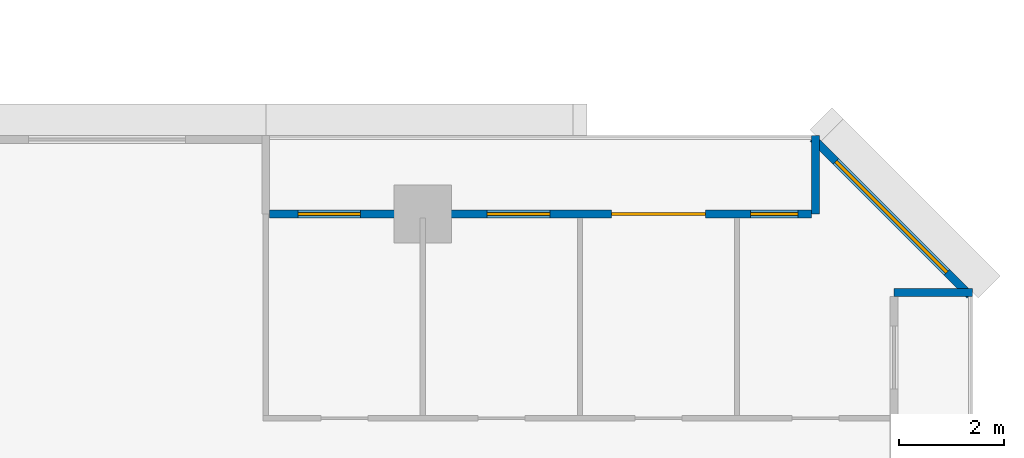
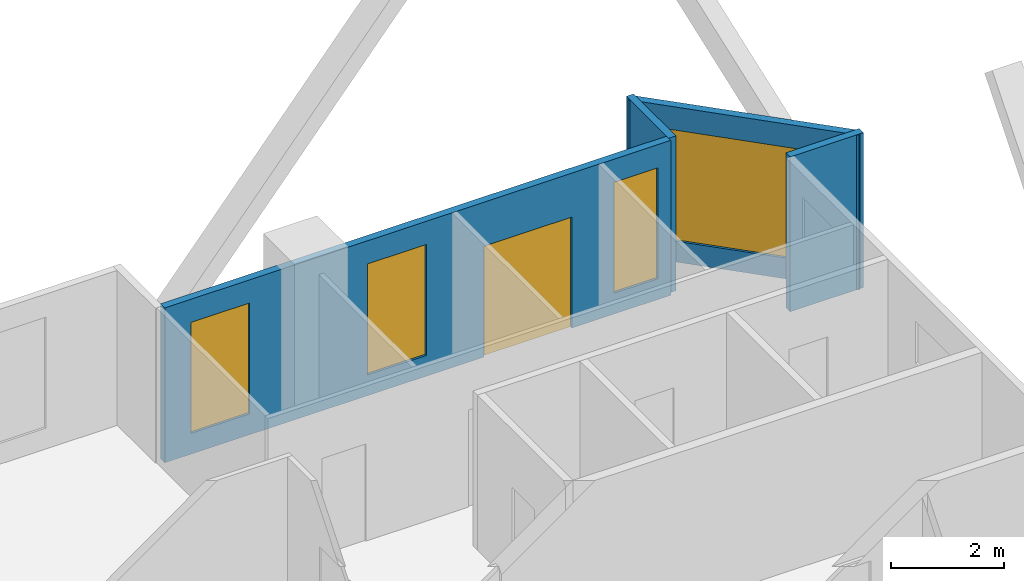
# One storey, part 12 of 15: 4 walls, 4 windows, 1 door, 5 openings.
"""IFC4 building model written with IfcOpenShell, lengths in metres."""

from ifc_helpers import new_model, si_unit, direction, frame, frame_2d, origin, place, context, subcontext, project, spatial, rectangle, extrude, material, layer, layer_set, type_object, element, fill, save


model = new_model("IFC4")

# Units and contexts
model_context = context("Model", 3, precision=1e-05, world=origin(), true_north=direction((0.0, 1.0)))
body_context = subcontext(model_context, "Body", "Model", "MODEL_VIEW")
ifc_project = project(units=[si_unit("LENGTHUNIT", "METRE"), si_unit("AREAUNIT", "SQUARE_METRE"), si_unit("VOLUMEUNIT", "CUBIC_METRE"), si_unit("PLANEANGLEUNIT", "RADIAN"), si_unit("MASSUNIT", "GRAM", prefix="KILO")], contexts=[model_context])

# Site, building, storey
site_placement = place(None, origin())
site = spatial("IfcSite", under=ifc_project, at=site_placement, CompositionType="ELEMENT")
building_placement = place(site_placement, origin())
building = spatial("IfcBuilding", under=site, at=building_placement, Name="Chenar Terraces", CompositionType="ELEMENT")
storey_placement = place(building_placement, frame((0.0, 0.0, 41.39990234375)))
storey = spatial("IfcBuildingStorey", under=building, at=storey_placement, Name="L07", CompositionType="ELEMENT", Elevation=41.39990234375)

# Wall, openings, windows, door
ifc_material_1 = material(Name="Aluminium framed glazing", Category="aluminium")
ifc_layer_1 = layer(ifc_material_1, 0.14990234375)
ifc_layer_set_1 = layer_set([ifc_layer_1], Name="Aluminium framed glazing")
wall_type_1 = type_object("IfcWallType", Name="Glazed loggia back wall 150", PredefinedType="SOLIDWALL", material=ifc_layer_set_1)
wall_1_placement = place(storey_placement, frame((70.425048828125, 24.0, 0.0), z_axis=(0.0, 0.0, 1.0), x_axis=(-1.0, 0.0, 0.0)))
wall_1 = element("IfcWall", 1, at=wall_1_placement, inside=storey, type_object=wall_type_1, Name="Glazed loggia back wall", PredefinedType="SOLIDWALL", context=body_context, shape_type="SweptSolid", body=[
    extrude(rectangle(XDim=10.35009765625, YDim=0.14990234375, at=frame_2d((5.175048828125, 0.0))), origin(), (0.0, 0.0, 1.0), 3.35009765625),
])
opening_1_placement = place(wall_1_placement, frame((0.262451171875, 0.0, 0.449951171875)))
opening_1 = element("IfcOpeningElement", 2, at=opening_1_placement, cuts=wall_1, Name="Opening W90x240", PredefinedType="OPENING", context=body_context, shape_type="SweptSolid", body=[
    extrude(rectangle(XDim=0.89990234375, YDim=2.39990234375, at=frame_2d((0.449951171875, 1.199951171875))), frame((0.0, 0.0849609375, 0.0), z_axis=(0.0, -1.0, 0.0), x_axis=(1.0, 0.0, 0.0)), (0.0, 0.0, 1.0), 0.169921875),
])
opening_2_placement = place(wall_1_placement, frame((2.02490234375, 0.0, 0.0)))
opening_2 = element("IfcOpeningElement", 3, at=opening_2_placement, cuts=wall_1, Name="Opening DL07-G1", PredefinedType="OPENING", context=body_context, shape_type="SweptSolid", body=[
    extrude(rectangle(XDim=1.800048828125, YDim=2.39990234375, at=frame_2d((0.89990234375, 1.199951171875))), frame((0.0, 0.0849609375, 0.0), z_axis=(0.0, -1.0, 0.0), x_axis=(1.0, 0.0, 0.0)), (0.0, 0.0, 1.0), 0.169921875),
])
opening_3_placement = place(wall_1_placement, frame((5.0, 0.0, 0.449951171875)))
opening_3 = element("IfcOpeningElement", 4, at=opening_3_placement, cuts=wall_1, Name="Opening W120x240", PredefinedType="OPENING", context=body_context, shape_type="SweptSolid", body=[
    extrude(rectangle(XDim=1.199951171875, YDim=2.39990234375, at=frame_2d((0.60009765625, 1.199951171875))), frame((0.0, 0.0849609375, 0.0), z_axis=(0.0, -1.0, 0.0), x_axis=(1.0, 0.0, 0.0)), (0.0, 0.0, 1.0), 0.169921875),
])
opening_4_placement = place(wall_1_placement, frame((8.612548828125, 0.0, 0.449951171875)))
opening_4 = element("IfcOpeningElement", 5, at=opening_4_placement, cuts=wall_1, Name="Opening W120x240", PredefinedType="OPENING", context=body_context, shape_type="SweptSolid", body=[
    extrude(rectangle(XDim=1.199951171875, YDim=2.39990234375, at=frame_2d((0.60009765625, 1.199951171875))), frame((0.0, 0.0849609375, 0.0), z_axis=(0.0, -1.0, 0.0), x_axis=(1.0, 0.0, 0.0)), (0.0, 0.0, 1.0), 0.169921875),
])
ifc_material_2 = material(Name="Low emissivity double glazing, aluminium frame", Category="aluminium")
window_type_1 = type_object("IfcWindowType", Name="Fixed light 1200 x 2400", PartitioningType="SINGLE_PANEL", PredefinedType="WINDOW", material=ifc_material_2)
window_1_placement = place(opening_3_placement, origin())
window_1 = element("IfcWindow", 6, at=window_1_placement, inside=storey, type_object=window_type_1, Name="Window", OverallHeight=2.39990234375, OverallWidth=1.199951171875, PartitioningType="SINGLE_PANEL", PredefinedType="WINDOW", context=body_context, shape_type="SweptSolid", body=[
    extrude(rectangle(XDim=1.199951171875, YDim=2.39990234375, at=frame_2d((0.60009765625, 1.199951171875))), frame((0.0, 0.030029296875, 0.0), z_axis=(0.0, -1.0, 0.0), x_axis=(1.0, 0.0, 0.0)), (0.0, 0.0, 1.0), 0.06005859375),
])
fill(opening_3, window_1)
window_2_placement = place(opening_4_placement, origin())
window_2 = element("IfcWindow", 7, at=window_2_placement, inside=storey, type_object=window_type_1, Name="Window", OverallHeight=2.39990234375, OverallWidth=1.199951171875, PartitioningType="SINGLE_PANEL", PredefinedType="WINDOW", context=body_context, shape_type="SweptSolid", body=[
    extrude(rectangle(XDim=1.199951171875, YDim=2.39990234375, at=frame_2d((0.60009765625, 1.199951171875))), frame((0.0, 0.030029296875, 0.0), z_axis=(0.0, -1.0, 0.0), x_axis=(1.0, 0.0, 0.0)), (0.0, 0.0, 1.0), 0.06005859375),
])
fill(opening_4, window_2)
ifc_material_3 = material(Name="Low emissivity double glazing, aluminium frame", Category="aluminium")
window_type_2 = type_object("IfcWindowType", Name="Fixed light 900 x 2400", PartitioningType="SINGLE_PANEL", PredefinedType="WINDOW", material=ifc_material_3)
window_3_placement = place(opening_1_placement, origin())
window_3 = element("IfcWindow", 8, at=window_3_placement, inside=storey, type_object=window_type_2, Name="Window", OverallHeight=2.39990234375, OverallWidth=0.89990234375, PartitioningType="SINGLE_PANEL", PredefinedType="WINDOW", context=body_context, shape_type="SweptSolid", body=[
    extrude(rectangle(XDim=0.89990234375, YDim=2.39990234375, at=frame_2d((0.449951171875, 1.199951171875))), frame((0.0, 0.030029296875, 0.0), z_axis=(0.0, -1.0, 0.0), x_axis=(1.0, 0.0, 0.0)), (0.0, 0.0, 1.0), 0.06005859375),
])
fill(opening_1, window_3)
ifc_material_4 = material(Name="Low emissivity double glazing, aluminium frame", Category="aluminium")
door_type = type_object("IfcDoorType", Name="Loggia glazed double door 1800 x 2400", OperationType="DOUBLE_DOOR_SINGLE_SWING", PredefinedType="DOOR", material=ifc_material_4)
door_placement = place(opening_2_placement, frame((1.800048828125, 0.0, 0.0), z_axis=(0.0, 0.0, 1.0), x_axis=(-1.0, 0.0, 0.0)))
door = element("IfcDoor", 9, at=door_placement, inside=storey, type_object=door_type, Name="Loggia glazed door", OperationType="DOUBLE_DOOR_SINGLE_SWING", OverallHeight=2.39990234375, OverallWidth=1.800048828125, PredefinedType="DOOR", context=body_context, shape_type="SweptSolid", body=[
    extrude(rectangle(XDim=1.800048828125, YDim=2.39990234375, at=frame_2d((0.89990234375, 1.199951171875))), frame((0.0, 0.02490234375, 0.0), z_axis=(0.0, -1.0, 0.0), x_axis=(1.0, 0.0, 0.0)), (0.0, 0.0, 1.0), 0.050048828125),
])
fill(opening_2, door)

# Walls
ifc_material_5 = material(Name="Terracotta cladding on insulated backing", Category="masonry")
ifc_layer_2 = layer(ifc_material_5, 0.14990234375)
ifc_layer_set_2 = layer_set([ifc_layer_2], Name="Terracotta cladding on insulated backing")
wall_type_2 = type_object("IfcWallType", Name="Loggia return wall 150", PredefinedType="SOLIDWALL", material=ifc_layer_set_2)
for number, where, z_axis, x_axis, name in (
    (10, (70.5, 25.5, 0.0), (0.0, 0.0, 1.0), (0.0, -1.0, 0.0), "Loggia return wall"),
    (11, (73.5, 22.5, 0.0), (0.0, 0.0, 1.0), (-1.0, 0.0, 0.0), "Loggia return wall"),
):
    element("IfcWall", number, at=place(storey_placement, frame(where, z_axis=z_axis, x_axis=x_axis)), inside=storey, type_object=wall_type_2, Name=name, PredefinedType="SOLIDWALL", context=body_context, shape_type="SweptSolid", body=[
        extrude(rectangle(XDim=1.5, YDim=0.14990234375, at=frame_2d((0.75, 0.0))), origin(), (0.0, 0.0, 1.0), 3.35009765625),
    ])

# Wall, opening, window
ifc_material_6 = material(Name="Terracotta cladding on insulated backing", Category="masonry")
ifc_layer_3 = layer(ifc_material_6, 0.14990234375)
ifc_layer_set_3 = layer_set([ifc_layer_3], Name="Terracotta cladding on insulated backing")
wall_type_3 = type_object("IfcWallType", Name="Terracotta rainscreen wall 150", PredefinedType="SOLIDWALL", material=ifc_layer_set_3)
wall_2_placement = place(storey_placement, frame((73.447021484375, 22.447021484375, 0.0), z_axis=(0.0, 0.0, 1.0), x_axis=(-0.707106781187, 0.707106781187, 0.0)))
wall_2 = element("IfcWall", 12, at=wall_2_placement, inside=storey, type_object=wall_type_3, Name="Terracotta rainscreen wall", PredefinedType="SOLIDWALL", context=body_context, shape_type="SweptSolid", body=[
    extrude(rectangle(XDim=4.24267578125, YDim=0.14990234375, at=frame_2d((2.121337890625, 0.0))), origin(), (0.0, 0.0, 1.0), 3.35009765625),
])
opening_5_placement = place(wall_2_placement, frame((0.621337890625, 0.0, 0.449951171875)))
opening_5 = element("IfcOpeningElement", 13, at=opening_5_placement, cuts=wall_2, Name="Opening W300x240", PredefinedType="OPENING", context=body_context, shape_type="SweptSolid", body=[
    extrude(rectangle(XDim=3.0, YDim=2.39990234375, at=frame_2d((1.5, 1.199951171875))), frame((0.0, 0.0849609375, 0.0), z_axis=(0.0, -1.0, 0.0), x_axis=(1.0, 0.0, 0.0)), (0.0, 0.0, 1.0), 0.169921875),
])
ifc_material_7 = material(Name="Low emissivity double glazing, aluminium frame", Category="aluminium")
window_type_3 = type_object("IfcWindowType", Name="Fixed light 3000 x 2400", PartitioningType="SINGLE_PANEL", PredefinedType="WINDOW", material=ifc_material_7)
window_4_placement = place(opening_5_placement, origin())
window_4 = element("IfcWindow", 14, at=window_4_placement, inside=storey, type_object=window_type_3, Name="Window", OverallHeight=2.39990234375, OverallWidth=3.0, PartitioningType="SINGLE_PANEL", PredefinedType="WINDOW", context=body_context, shape_type="SweptSolid", body=[
    extrude(rectangle(XDim=3.0, YDim=2.39990234375, at=frame_2d((1.5, 1.199951171875))), frame((0.0, 0.030029296875, 0.0), z_axis=(0.0, -1.0, 0.0), x_axis=(1.0, 0.0, 0.0)), (0.0, 0.0, 1.0), 0.06005859375),
])
fill(opening_5, window_4)

save(model, "model.ifc")
